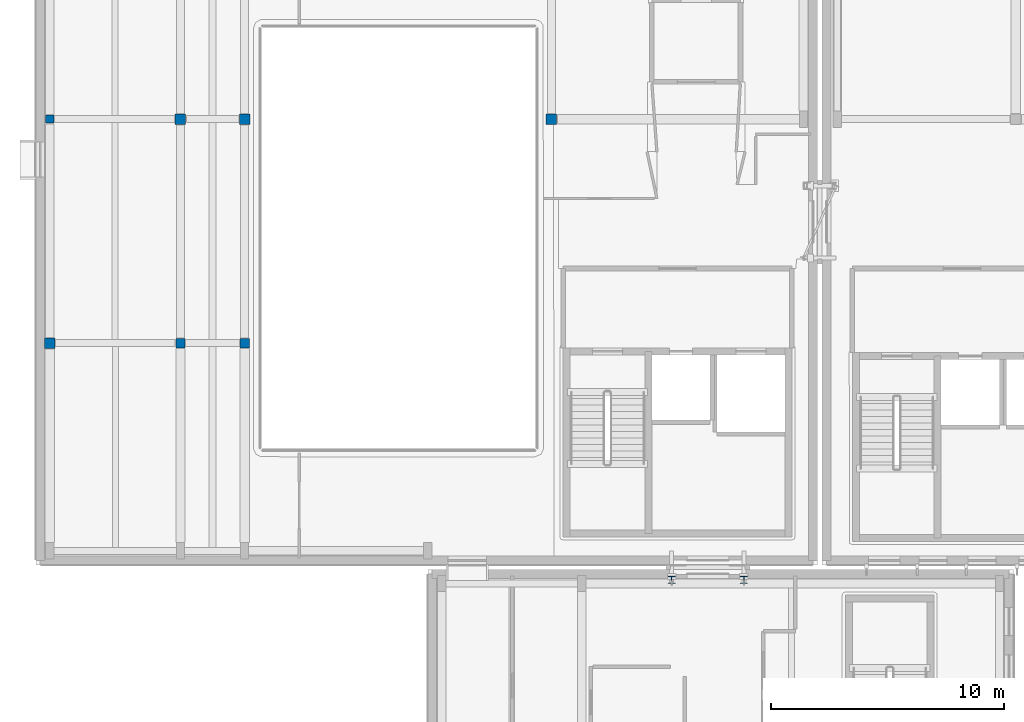
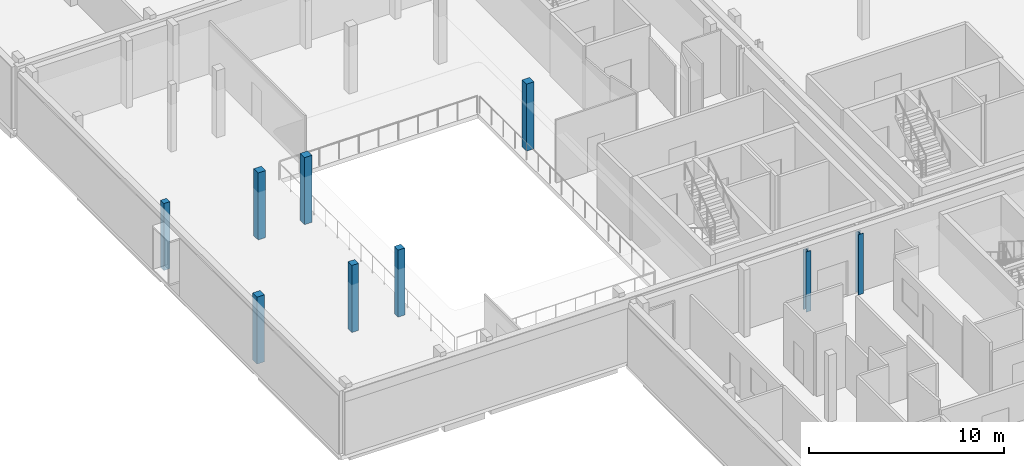
# One storey, part 2 of 84: 9 columns.
"""IFC4 building model written with IfcOpenShell, lengths in metres."""

from ifc_helpers import new_model, si_unit, direction, frame, origin, origin_2d, place, context, subcontext, project, spatial, rectangle, i_section, extrude, material, material_profile, profile_set, type_object, element, save


model = new_model("IFC4")

# Units and contexts
model_context = context("Model", 3, precision=1e-05, world=origin(), true_north=direction((0.0, 1.0)))
body_context = subcontext(model_context, "Body", "Model", "MODEL_VIEW")
ifc_project = project(units=[si_unit("LENGTHUNIT", "METRE"), si_unit("AREAUNIT", "SQUARE_METRE"), si_unit("VOLUMEUNIT", "CUBIC_METRE"), si_unit("PLANEANGLEUNIT", "RADIAN"), si_unit("MASSUNIT", "GRAM", prefix="KILO")], contexts=[model_context])

# Site, building, storey
site_placement = place(None, origin())
site = spatial("IfcSite", under=ifc_project, at=site_placement, CompositionType="ELEMENT")
building_placement = place(site_placement, origin())
building = spatial("IfcBuilding", under=site, at=building_placement, Name="Mzevani Central Library", CompositionType="ELEMENT")
storey_placement = place(building_placement, frame((0.0, 0.0, 5.39990234375)))
storey = spatial("IfcBuildingStorey", under=building, at=storey_placement, Name="L01", CompositionType="ELEMENT", Elevation=5.39990234375)

# Columns
ifc_material_1 = material(Name="Steel S355J2", Category="steel")
ifc_material_profile_1 = material_profile(ifc_material_1, i_section(OverallWidth=0.300048828125, OverallDepth=0.300048828125, WebThickness=0.010986328125, FlangeThickness=0.01904296875, FilletRadius=0.027099609375, at=origin_2d()), Name="HEB 300")
ifc_profile_set_1 = profile_set([ifc_material_profile_1], Name="Steel S355J2")
column_type_1 = type_object("IfcColumnType", Name="Atrium Steel Column HEB 300", PredefinedType="COLUMN", material=ifc_profile_set_1)
for number, where, z_axis, x_axis, name in (
    (1, (39.64990234375, 41.85009765625, 0.0), (0.0, 0.0, 1.0), (1.0, 0.0, 0.0), "L01 Seismic Joint Corbel Column 1"),
    (2, (42.75, 41.85009765625, 0.0), (0.0, 0.0, 1.0), (1.0, 0.0, 0.0), "L01 Seismic Joint Corbel Column 2"),
):
    element("IfcColumn", number, at=place(storey_placement, frame(where, z_axis=z_axis, x_axis=x_axis)), inside=storey, type_object=column_type_1, Name=name, PredefinedType="COLUMN", context=body_context, shape_type="SweptSolid", body=[
        extrude(i_section(OverallWidth=0.300048828125, OverallDepth=0.300048828125, WebThickness=0.010986328125, FlangeThickness=0.01904296875, FilletRadius=0.027099609375, at=origin_2d()), origin(), (0.0, 0.0, 1.0), 3.78515625),
    ])
ifc_material_2 = material(Name="Concrete C40/50", Category="concrete")
ifc_material_profile_2 = material_profile(ifc_material_2, rectangle(XDim=0.35009765625, YDim=0.35009765625, at=origin_2d()), Name="RC 350x350")
ifc_profile_set_2 = profile_set([ifc_material_profile_2], Name="Concrete C40/50")
column_type_2 = type_object("IfcColumnType", Name="Column RC 350x350", PredefinedType="COLUMN", material=ifc_profile_set_2)
column_placement = place(storey_placement, frame((13.0, 61.60009765625, 0.0), z_axis=(0.0, 0.0, 1.0), x_axis=(1.0, 0.0, 0.0)))
element("IfcColumn", 3, at=column_placement, inside=storey, type_object=column_type_2, Name="L01 V5 Column C-01 (189)", PredefinedType="COLUMN", context=body_context, shape_type="SweptSolid", body=[
    extrude(rectangle(XDim=0.35009765625, YDim=0.35009765625, at=origin_2d()), origin(), (0.0, 0.0, 1.0), 4.2001953125),
])
ifc_material_profile_3 = material_profile(ifc_material_2, rectangle(XDim=0.39990234375, YDim=0.39990234375, at=origin_2d()), Name="RC 400x400")
ifc_profile_set_3 = profile_set([ifc_material_profile_3], Name="Concrete C40/50")
column_type_3 = type_object("IfcColumnType", Name="Column RC 400x400", PredefinedType="COLUMN", material=ifc_profile_set_3)
for number, where, z_axis, x_axis, name in (
    (4, (18.60009765625, 52.0, 0.0), (0.0, 0.0, 1.0), (1.0, 0.0, 0.0), "L01 V5 Column C-02 (193)"),
    (5, (21.35009765625, 52.0, 0.0), (0.0, 0.0, 1.0), (1.0, 0.0, 0.0), "L01 V5 Column C-02 (198)"),
):
    element("IfcColumn", number, at=place(storey_placement, frame(where, z_axis=z_axis, x_axis=x_axis)), inside=storey, type_object=column_type_3, Name=name, PredefinedType="COLUMN", context=body_context, shape_type="SweptSolid", body=[
        extrude(rectangle(XDim=0.39990234375, YDim=0.39990234375, at=origin_2d()), origin(), (0.0, 0.0, 1.0), 4.2001953125),
    ])
ifc_material_profile_4 = material_profile(ifc_material_2, rectangle(XDim=0.449951171875, YDim=0.449951171875, at=origin_2d()), Name="RC 450x450")
ifc_profile_set_4 = profile_set([ifc_material_profile_4], Name="Concrete C40/50")
column_type_4 = type_object("IfcColumnType", Name="Column RC 450x450", PredefinedType="COLUMN", material=ifc_profile_set_4)
for number, where, z_axis, x_axis, name in (
    (6, (13.0, 52.0, 0.0), (0.0, 0.0, 1.0), (1.0, 0.0, 0.0), "L01 V5 Column C-03 (188)"),
    (7, (18.60009765625, 61.60009765625, 0.0), (0.0, 0.0, 1.0), (1.0, 0.0, 0.0), "L01 V5 Column C-03 (194)"),
    (8, (21.35009765625, 61.60009765625, 0.0), (0.0, 0.0, 1.0), (1.0, 0.0, 0.0), "L01 V5 Column C-03 (199)"),
    (9, (34.5, 61.60009765625, 0.0), (0.0, 0.0, 1.0), (1.0, 0.0, 0.0), "L01 V5 Column C-03 (205)"),
):
    element("IfcColumn", number, at=place(storey_placement, frame(where, z_axis=z_axis, x_axis=x_axis)), inside=storey, type_object=column_type_4, Name=name, PredefinedType="COLUMN", context=body_context, shape_type="SweptSolid", body=[
        extrude(rectangle(XDim=0.449951171875, YDim=0.449951171875, at=origin_2d()), origin(), (0.0, 0.0, 1.0), 4.2001953125),
    ])

save(model, "model.ifc")
